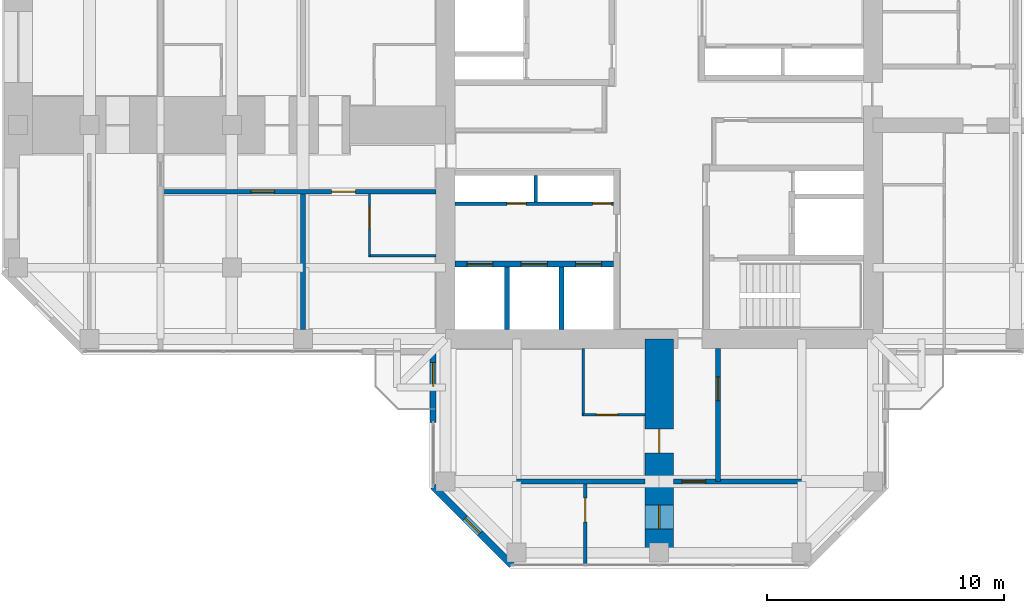
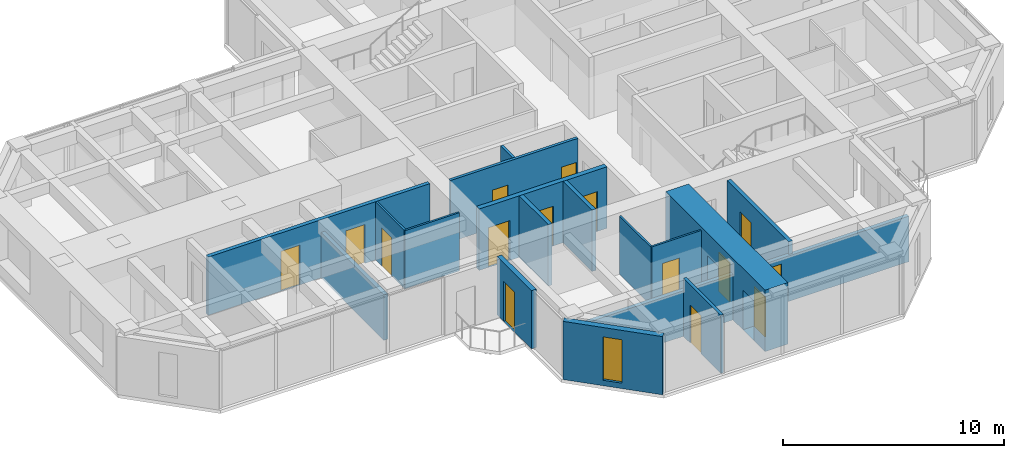
# One storey, part 8 of 13: 18 walls, 15 doors, 1 window, 16 openings.
"""IFC4 building model written with IfcOpenShell, lengths in metres."""

import ifcopenshell
import ifcopenshell.guid

model = None  # the IFC model being written
_history = None  # IfcOwnerHistory: only IFC2X3 demands one
_inside = {}  # id of a spatial element -> (the spatial element, [elements in it])
_under = {}  # id of a project, library or spatial element -> (it, [spatial elements below it])
_declared = {}  # id of a project -> (the project, [libraries it declares])
_typed = {}  # id of a type object -> (the type object, [elements of that type])
_made_of = {}  # id of a material, layer set ... -> (it, [elements and type objects made of it])


def new_model(schema):
    """Start an empty IFC model of exactly this schema.

    Asked for "IFC4X3", IfcOpenShell would pick the latest addendum, in which some entities
    have other attributes; the version numbers below select the first issue.
    IFC2X3 requires an IfcOwnerHistory on every rooted entity: one is made here for all.
    """
    global model, _history
    if schema == "IFC4X3":
        model = ifcopenshell.file(schema_version=(4, 3, 0, 0))
    else:
        model = ifcopenshell.file(schema=schema)
    _inside.clear()
    _under.clear()
    _declared.clear()
    _typed.clear()
    _made_of.clear()
    _history = None
    if model.schema == "IFC2X3":
        org = make("IfcOrganization", Name="unknown")
        user = make(
            "IfcPersonAndOrganization",
            ThePerson=make("IfcPerson", FamilyName="unknown"),
            TheOrganization=org,
        )
        app = make(
            "IfcApplication",
            ApplicationDeveloper=org,
            Version="unknown",
            ApplicationFullName="unknown",
            ApplicationIdentifier="unknown",
        )
        _history = make(
            "IfcOwnerHistory",
            OwningUser=user,
            OwningApplication=app,
            ChangeAction="ADDED",
            CreationDate=0,
        )
    return model


def make(cls, **values):
    """One entity of the class cls with the attributes given. An attribute that is None is left unset."""
    return model.create_entity(
        cls, **{name: value for name, value in values.items() if value is not None}
    )


def rooted(cls, **values):
    """An entity with a GlobalId (a new one), such as an element, a storey or a relation."""
    return make(cls, GlobalId=ifcopenshell.guid.new(), OwnerHistory=_history, **values)


def si_unit(unit_type, name, prefix=None):
    """IfcSIUnit, for example si_unit("LENGTHUNIT", "METRE", prefix="MILLI")."""
    return make("IfcSIUnit", UnitType=unit_type, Prefix=prefix, Name=name)


def assignment(units):
    """IfcUnitAssignment: the units of a project."""
    return None if units is None else make("IfcUnitAssignment", Units=units)


def point(xyz):
    """IfcCartesianPoint."""
    return None if xyz is None else make("IfcCartesianPoint", Coordinates=xyz)


def direction(xyz):
    """IfcDirection."""
    return None if xyz is None else make("IfcDirection", DirectionRatios=xyz)


def frame(location, z_axis=None, x_axis=None):
    """IfcAxis2Placement3D, a coordinate frame: its origin and axes. An axis left out is left unset."""
    return make(
        "IfcAxis2Placement3D",
        Location=point(location),
        Axis=direction(z_axis),
        RefDirection=direction(x_axis),
    )


def frame_2d(location, x_axis=None):
    """IfcAxis2Placement2D, a coordinate frame in the plane: its origin and x axis."""
    return make(
        "IfcAxis2Placement2D", Location=point(location), RefDirection=direction(x_axis)
    )


def origin():
    """The frame at (0, 0, 0) with its axes left unset."""
    return frame((0.0, 0.0, 0.0))


def place(relative_to, where):
    """IfcLocalPlacement: puts the frame where relative to a parent placement (None: the world)."""
    return make(
        "IfcLocalPlacement", PlacementRelTo=relative_to, RelativePlacement=where
    )


def context(
    kind, dimensions, precision=None, world=None, true_north=None, identifier=None
):
    """IfcGeometricRepresentationContext, for example the 3D "Model" context."""
    return make(
        "IfcGeometricRepresentationContext",
        ContextIdentifier=identifier,
        ContextType=kind,
        CoordinateSpaceDimension=dimensions,
        Precision=precision,
        WorldCoordinateSystem=world,
        TrueNorth=true_north,
    )


def subcontext(parent, identifier, kind, view, scale=None):
    """IfcGeometricRepresentationSubContext, for example "Body" below "Model"."""
    return make(
        "IfcGeometricRepresentationSubContext",
        ContextIdentifier=identifier,
        ContextType=kind,
        ParentContext=parent,
        TargetScale=scale,
        TargetView=view,
    )


def project(units=None, contexts=None):
    """IfcProject with its units and contexts."""
    return rooted(
        "IfcProject",
        Name="project",
        RepresentationContexts=contexts,
        UnitsInContext=assignment(units),
    )


def spatial(cls, under=None, at=None, **own):
    """A site, building, storey or space (cls), placed at a placement, below another one or the project."""
    s = rooted(cls, ObjectPlacement=at, **own)
    if under is not None:
        _under.setdefault(under.id(), (under, []))[1].append(s)
    return s


def profile(cls, at=None, kind="AREA", **sizes):
    """A parametric profile (cls). Its sizes go by their IFC names, for example OverallWidth=200.0."""
    return make(cls, ProfileType=kind, Position=at, **sizes)


def rectangle(**sizes):
    """IfcRectangleProfileDef."""
    return profile("IfcRectangleProfileDef", **sizes)


def hollow_rectangle(**sizes):
    """IfcRectangleHollowProfileDef."""
    return profile("IfcRectangleHollowProfileDef", **sizes)


def extrude(swept, where, along, depth):
    """IfcExtrudedAreaSolid: the profile swept, set in the frame where, extruded along a direction by depth."""
    return make(
        "IfcExtrudedAreaSolid",
        SweptArea=swept,
        Position=where,
        ExtrudedDirection=direction(along),
        Depth=depth,
    )


def shape(context_of_items, identifier, shape_type, items):
    """IfcShapeRepresentation: the items that make up one representation, for example the "Body"."""
    return make(
        "IfcShapeRepresentation",
        ContextOfItems=context_of_items,
        RepresentationIdentifier=identifier,
        RepresentationType=shape_type,
        Items=items,
    )


def material(Name=None, Category=None):
    """IfcMaterial."""
    return make("IfcMaterial", Name=Name, Category=Category)


def layer(
    of_material, thickness, ventilated=None, Name=None, Category=None, Priority=None
):
    """IfcMaterialLayer: one layer of a wall or slab, of a material (None: an air gap)."""
    return make(
        "IfcMaterialLayer",
        Material=of_material,
        LayerThickness=thickness,
        IsVentilated=ventilated,
        Name=Name,
        Category=Category,
        Priority=Priority,
    )


def layer_set(layers, Name=None):
    """IfcMaterialLayerSet."""
    return make("IfcMaterialLayerSet", MaterialLayers=layers, LayerSetName=Name)


def constituent(of_material, Name=None, Category=None, fraction=None):
    """IfcMaterialConstituent: one of the materials an element consists of."""
    return make(
        "IfcMaterialConstituent",
        Name=Name,
        Material=of_material,
        Fraction=fraction,
        Category=Category,
    )


def constituent_set(constituents=None, Name=None):
    """IfcMaterialConstituentSet."""
    return make(
        "IfcMaterialConstituentSet", Name=Name, MaterialConstituents=constituents
    )


def made_of(thing, what):
    """Note that an element or type object is made of a material, layer set ...; save() writes the relation."""
    if what is not None:
        _made_of.setdefault(what.id(), (what, []))[1].append(thing)
    return thing


def type_object(cls, material=None, **own):
    """A type object (cls), such as IfcWallType, which elements share."""
    return made_of(rooted(cls, **own), material)


def element(
    cls,
    number,
    at=None,
    inside=None,
    cuts=None,
    type_object=None,
    material=None,
    context=None,
    identifier="Body",
    shape_type=None,
    held_by="IfcProductDefinitionShape",
    body=None,
    shapes=None,
    **own,
):
    """One element of the class cls, such as IfcWall. Its Tag is "e" and its number.

    at: its placement. inside: the storey or other place that contains it. cuts: it is an
    opening in that element (IfcRelVoidsElement). A single representation is given by context,
    identifier, shape_type and body (its items); several are given by shapes. held_by: the class
    of the entity that holds the representations. save() writes the other relations.
    """
    e = rooted(cls, Tag="e%d" % number, ObjectPlacement=at, **own)
    if body is not None:
        shapes = [shape(context, identifier, shape_type, body)]
    if shapes is not None:
        e.Representation = make(held_by, Representations=shapes)
    if inside is not None:
        _inside.setdefault(inside.id(), (inside, []))[1].append(e)
    if cuts is not None:
        rooted(
            "IfcRelVoidsElement", RelatingBuildingElement=cuts, RelatedOpeningElement=e
        )
    if type_object is not None:
        _typed.setdefault(type_object.id(), (type_object, []))[1].append(e)
    return made_of(e, material)


def fill(opening, filler):
    """IfcRelFillsElement: the door or window that sits in an opening."""
    return rooted(
        "IfcRelFillsElement",
        RelatingOpeningElement=opening,
        RelatedBuildingElement=filler,
    )


def aggregate(whole, parts):
    """IfcRelAggregates: a whole, such as a stair, and the parts it consists of."""
    return rooted("IfcRelAggregates", RelatingObject=whole, RelatedObjects=parts)


def save(model, path):
    """Write the relations noted so far, then the file.

    IfcRelAggregates (storeys below a building ...), IfcRelContainedInSpatialStructure (elements
    in a storey), IfcRelDefinesByType, IfcRelAssociatesMaterial and IfcRelDeclares: one each for
    every whole, place, type object, material and project.
    """
    for whole, parts in _under.values():
        aggregate(whole, parts)
    for where, things in _inside.values():
        rooted(
            "IfcRelContainedInSpatialStructure",
            RelatedElements=things,
            RelatingStructure=where,
        )
    for kind, things in _typed.values():
        rooted("IfcRelDefinesByType", RelatedObjects=things, RelatingType=kind)
    for what, things in _made_of.values():
        rooted("IfcRelAssociatesMaterial", RelatedObjects=things, RelatingMaterial=what)
    for by, libraries in _declared.values():
        rooted("IfcRelDeclares", RelatingContext=by, RelatedDefinitions=libraries)
    model.write(path)


model = new_model("IFC4")

# Units and contexts
model_context = context("Model", 3, precision=1e-05, world=origin(), true_north=direction((0.0, 1.0)))
body_context = subcontext(model_context, "Body", "Model", "MODEL_VIEW")
ifc_project = project(units=[si_unit("LENGTHUNIT", "METRE"), si_unit("AREAUNIT", "SQUARE_METRE"), si_unit("VOLUMEUNIT", "CUBIC_METRE"), si_unit("PLANEANGLEUNIT", "RADIAN"), si_unit("MASSUNIT", "GRAM", prefix="KILO")], contexts=[model_context])

# Site, building, storey
site_placement = place(None, origin())
site = spatial("IfcSite", under=ifc_project, at=site_placement, CompositionType="ELEMENT")
building_placement = place(site_placement, origin())
building = spatial("IfcBuilding", under=site, at=building_placement, Name="Torre Cruceta", CompositionType="ELEMENT")
storey_placement = place(building_placement, frame((0.0, 0.0, 242.5)))
storey = spatial("IfcBuildingStorey", under=building, at=storey_placement, Name="L62", CompositionType="ELEMENT", Elevation=242.5)

# Wall
ifc_material_1 = material(Name="Water-resistant plasterboard on steel studs", Category="steel")
ifc_layer_1 = layer(ifc_material_1, 0.10009765625)
ifc_layer_set_1 = layer_set([ifc_layer_1], Name="Water-resistant plasterboard on steel studs")
wall_type_1 = type_object("IfcWallType", Name="BATHROOM WALL 100", PredefinedType="PARTITIONING", material=ifc_layer_set_1)
wall_1_placement = place(storey_placement, frame((-3.199951171875, -9.39990234375, 0.0), z_axis=(0.0, 0.0, 1.0), x_axis=(0.0, -1.0, 0.0)))
element("IfcWall", 1, at=wall_1_placement, inside=storey, type_object=wall_type_1, Name="PT4 L62-S-U1RBB", PredefinedType="PARTITIONING", context=body_context, shape_type="SweptSolid", body=[
    extrude(rectangle(XDim=2.85009765625, YDim=0.10009765625, at=frame_2d((1.425048828125, 0.0))), origin(), (0.0, 0.0, 1.0), 3.219970703125),
])

# Wall, opening, door
wall_2_placement = place(storey_placement, frame((-3.199951171875, -12.199951171875, 0.0), z_axis=(0.0, 0.0, 1.0), x_axis=(1.0, 0.0, 0.0)))
wall_2 = element("IfcWall", 2, at=wall_2_placement, inside=storey, type_object=wall_type_1, Name="PT4 L62-S-U1RBS", PredefinedType="PARTITIONING", context=body_context, shape_type="SweptSolid", body=[
    extrude(rectangle(XDim=2.599853515625, YDim=0.10009765625, at=frame_2d((1.2998046875, 0.0))), origin(), (0.0, 0.0, 1.0), 3.219970703125),
])
opening_1_placement = place(wall_2_placement, frame((0.550048828125, 0.0, 0.0)))
opening_1 = element("IfcOpeningElement", 3, at=opening_1_placement, cuts=wall_2, Name="Opening D7", PredefinedType="OPENING", context=body_context, shape_type="SweptSolid", body=[
    extrude(rectangle(XDim=0.89990234375, YDim=2.10009765625, at=frame_2d((0.449951171875, 1.050048828125))), frame((0.0, 0.06005859375, 0.0), z_axis=(0.0, -1.0, 0.0), x_axis=(1.0, 0.0, 0.0)), (0.0, 0.0, 1.0), 0.1201171875),
])
ifc_material_2 = material(Name="Timber door", Category="wood")
door_type_1 = type_object("IfcDoorType", Name="BATHROOM DOOR 900X2100", OperationType="SINGLE_SWING_LEFT", PredefinedType="DOOR", material=ifc_material_2)
door_1_placement = place(opening_1_placement, origin())
door_1 = element("IfcDoor", 4, at=door_1_placement, inside=storey, type_object=door_type_1, Name="D7 L62-S-U1RBS-D1", OperationType="SINGLE_SWING_LEFT", OverallHeight=2.10009765625, OverallWidth=0.89990234375, PredefinedType="DOOR", context=body_context, shape_type="SweptSolid", body=[
    extrude(rectangle(XDim=0.89990234375, YDim=2.10009765625, at=frame_2d((0.449951171875, 1.050048828125))), frame((0.0, 0.02490234375, 0.0), z_axis=(0.0, -1.0, 0.0), x_axis=(1.0, 0.0, 0.0)), (0.0, 0.0, 1.0), 0.050048828125),
])
fill(opening_1, door_1)

# Wall
wall_3_placement = place(storey_placement, frame((-9.39990234375, -5.5, 0.0), z_axis=(0.0, 0.0, 1.0), x_axis=(-1.0, 0.0, 0.0)))
element("IfcWall", 5, at=wall_3_placement, inside=storey, type_object=wall_type_1, Name="PT4 L62-W-U1LBB", PredefinedType="PARTITIONING", context=body_context, shape_type="SweptSolid", body=[
    extrude(rectangle(XDim=2.85009765625, YDim=0.10009765625, at=frame_2d((1.425048828125, 0.0))), origin(), (0.0, 0.0, 1.0), 3.219970703125),
])

# Wall, opening, door
wall_4_placement = place(storey_placement, frame((-12.199951171875, -2.89990234375, 0.0), z_axis=(0.0, 0.0, 1.0), x_axis=(0.0, -1.0, 0.0)))
wall_4 = element("IfcWall", 6, at=wall_4_placement, inside=storey, type_object=wall_type_1, Name="PT4 L62-W-U1LBS", PredefinedType="PARTITIONING", context=body_context, shape_type="SweptSolid", body=[
    extrude(rectangle(XDim=2.60009765625, YDim=0.10009765625, at=frame_2d((1.300048828125, 0.0))), origin(), (0.0, 0.0, 1.0), 3.219970703125),
])
opening_2_placement = place(wall_4_placement, frame((0.550048828125, 0.0, 0.0)))
opening_2 = element("IfcOpeningElement", 7, at=opening_2_placement, cuts=wall_4, Name="Opening D7", PredefinedType="OPENING", context=body_context, shape_type="SweptSolid", body=[
    extrude(rectangle(XDim=0.89990234375, YDim=2.10009765625, at=frame_2d((0.449951171875, 1.050048828125))), frame((0.0, 0.06005859375, 0.0), z_axis=(0.0, -1.0, 0.0), x_axis=(1.0, 0.0, 0.0)), (0.0, 0.0, 1.0), 0.1201171875),
])
door_2_placement = place(opening_2_placement, origin())
door_2 = element("IfcDoor", 8, at=door_2_placement, inside=storey, type_object=door_type_1, Name="D7 L62-W-U1LBS-D1", OperationType="SINGLE_SWING_LEFT", OverallHeight=2.10009765625, OverallWidth=0.89990234375, PredefinedType="DOOR", context=body_context, shape_type="SweptSolid", body=[
    extrude(rectangle(XDim=0.89990234375, YDim=2.10009765625, at=frame_2d((0.449951171875, 1.050048828125))), frame((0.0, 0.02490234375, 0.0), z_axis=(0.0, -1.0, 0.0), x_axis=(1.0, 0.0, 0.0)), (0.0, 0.0, 1.0), 0.050048828125),
])
fill(opening_2, door_2)

# Wall, openings, doors
ifc_material_3 = material(Name="Concrete G60 (fck 60 MPa)", Category="concrete")
ifc_layer_2 = layer(ifc_material_3, 0.25)
ifc_layer_set_2 = layer_set([ifc_layer_2], Name="Concrete G60 (fck 60 MPa)")
wall_type_2 = type_object("IfcWallType", Name="CORE INNER WALL 250 G60", PredefinedType="SHEAR", material=ifc_layer_set_2)
wall_5_placement = place(storey_placement, frame((-1.925048828125, -5.85009765625, 0.0), z_axis=(0.0, 0.0, 1.0), x_axis=(-1.0, 0.0, 0.0)))
wall_5 = element("IfcWall", 9, at=wall_5_placement, inside=storey, type_object=wall_type_2, Name="CW4 L62 SW-LV", PredefinedType="SHEAR", context=body_context, shape_type="SweptSolid", body=[
    extrude(rectangle(XDim=6.675048828125, YDim=0.25, at=frame_2d((3.33740234375, 0.0))), origin(), (0.0, 0.0, 1.0), 3.39990234375),
])
opening_3_placement = place(wall_5_placement, frame((0.495849609375, 0.0, 0.0)))
opening_3 = element("IfcOpeningElement", 10, at=opening_3_placement, cuts=wall_5, Name="Opening LD1", PredefinedType="OPENING", context=body_context, shape_type="SweptSolid", body=[
    extrude(rectangle(XDim=1.10009765625, YDim=2.199951171875, at=frame_2d((0.550048828125, 1.10009765625))), frame((0.0, 0.135009765625, 0.0), z_axis=(0.0, -1.0, 0.0), x_axis=(1.0, 0.0, 0.0)), (0.0, 0.0, 1.0), 0.27001953125),
])
opening_4_placement = place(wall_5_placement, frame((2.78759765625, 0.0, 0.0)))
opening_4 = element("IfcOpeningElement", 11, at=opening_4_placement, cuts=wall_5, Name="Opening LD1", PredefinedType="OPENING", context=body_context, shape_type="SweptSolid", body=[
    extrude(rectangle(XDim=1.10009765625, YDim=2.199951171875, at=frame_2d((0.550048828125, 1.10009765625))), frame((0.0, 0.135009765625, 0.0), z_axis=(0.0, -1.0, 0.0), x_axis=(1.0, 0.0, 0.0)), (0.0, 0.0, 1.0), 0.27001953125),
])
opening_5_placement = place(wall_5_placement, frame((5.0791015625, 0.0, 0.0)))
opening_5 = element("IfcOpeningElement", 12, at=opening_5_placement, cuts=wall_5, Name="Opening LD1", PredefinedType="OPENING", context=body_context, shape_type="SweptSolid", body=[
    extrude(rectangle(XDim=1.10009765625, YDim=2.199951171875, at=frame_2d((0.550048828125, 1.10009765625))), frame((0.0, 0.135009765625, 0.0), z_axis=(0.0, -1.0, 0.0), x_axis=(1.0, 0.0, 0.0)), (0.0, 0.0, 1.0), 0.27001953125),
])
ifc_material_4 = material(Name="Stainless steel 1.4401", Category="steel")
door_type_2 = type_object("IfcDoorType", Name="LIFT LANDING DOOR 1100X2200", OperationType="DOUBLE_DOOR_SLIDING", PredefinedType="DOOR", material=ifc_material_4)
door_3_placement = place(opening_3_placement, origin())
door_3 = element("IfcDoor", 13, at=door_3_placement, inside=storey, type_object=door_type_2, Name="Lift landing door R1", OperationType="DOUBLE_DOOR_SLIDING", OverallHeight=2.199951171875, OverallWidth=1.10009765625, PredefinedType="DOOR", context=body_context, shape_type="SweptSolid", body=[
    extrude(rectangle(XDim=1.10009765625, YDim=2.199951171875, at=frame_2d((0.550048828125, 1.10009765625))), frame((0.0, 0.02490234375, 0.0), z_axis=(0.0, -1.0, 0.0), x_axis=(1.0, 0.0, 0.0)), (0.0, 0.0, 1.0), 0.050048828125),
])
fill(opening_3, door_3)
door_4_placement = place(opening_4_placement, origin())
door_4 = element("IfcDoor", 14, at=door_4_placement, inside=storey, type_object=door_type_2, Name="Lift landing door R2", OperationType="DOUBLE_DOOR_SLIDING", OverallHeight=2.199951171875, OverallWidth=1.10009765625, PredefinedType="DOOR", context=body_context, shape_type="SweptSolid", body=[
    extrude(rectangle(XDim=1.10009765625, YDim=2.199951171875, at=frame_2d((0.550048828125, 1.10009765625))), frame((0.0, 0.02490234375, 0.0), z_axis=(0.0, -1.0, 0.0), x_axis=(1.0, 0.0, 0.0)), (0.0, 0.0, 1.0), 0.050048828125),
])
fill(opening_4, door_4)
door_5_placement = place(opening_5_placement, origin())
door_5 = element("IfcDoor", 15, at=door_5_placement, inside=storey, type_object=door_type_2, Name="Lift landing door R3", OperationType="DOUBLE_DOOR_SLIDING", OverallHeight=2.199951171875, OverallWidth=1.10009765625, PredefinedType="DOOR", context=body_context, shape_type="SweptSolid", body=[
    extrude(rectangle(XDim=1.10009765625, YDim=2.199951171875, at=frame_2d((0.550048828125, 1.10009765625))), frame((0.0, 0.02490234375, 0.0), z_axis=(0.0, -1.0, 0.0), x_axis=(1.0, 0.0, 0.0)), (0.0, 0.0, 1.0), 0.050048828125),
])
fill(opening_5, door_5)

# Wall, opening, door
ifc_material_5 = material(Name="Concrete G25 (fck 25 MPa)", Category="concrete")
ifc_layer_3 = layer(ifc_material_5, 0.199951171875)
ifc_layer_set_3 = layer_set([ifc_layer_3], Name="Concrete G25 (fck 25 MPa)")
wall_type_3 = type_object("IfcWallType", Name="CORRIDOR WALL 200", PredefinedType="SOLIDWALL", material=ifc_layer_set_3)
wall_6_placement = place(storey_placement, frame((2.47509765625, -9.39990234375, 0.0), z_axis=(0.0, 0.0, 1.0), x_axis=(0.0, -1.0, 0.0)))
wall_6 = element("IfcWall", 16, at=wall_6_placement, inside=storey, type_object=wall_type_3, Name="PT3 L62-S-CL", PredefinedType="SOLIDWALL", context=body_context, shape_type="SweptSolid", body=[
    extrude(rectangle(XDim=5.60009765625, YDim=0.199951171875, at=frame_2d((2.800048828125, 0.0))), origin(), (0.0, 0.0, 1.0), 3.219970703125),
])
opening_6_placement = place(wall_6_placement, frame((1.199951171875, 0.0, 0.0)))
opening_6 = element("IfcOpeningElement", 17, at=opening_6_placement, cuts=wall_6, Name="Opening D14", PredefinedType="OPENING", context=body_context, shape_type="SweptSolid", body=[
    extrude(rectangle(XDim=1.0, YDim=2.199951171875, at=frame_2d((0.5, 1.10009765625))), frame((0.0, 0.10986328125, 0.0), z_axis=(0.0, -1.0, 0.0), x_axis=(1.0, 0.0, 0.0)), (0.0, 0.0, 1.0), 0.219970703125),
])
ifc_material_6 = material(Name="Steel DX51D", Category="steel")
ifc_constituent_1 = constituent(ifc_material_6, Name="Leaf and frame")
ifc_material_7 = material(Name="Polyester powder coating", Category="paint")
ifc_constituent_2 = constituent(ifc_material_7, Name="Finish")
ifc_material_8 = material(Name="Fire-resisting glass", Category="glass")
ifc_constituent_3 = constituent(ifc_material_8, Name="Vision panel")
ifc_constituent_set_1 = constituent_set(constituents=[ifc_constituent_1, ifc_constituent_2, ifc_constituent_3], Name="Steel fire door with vision panel")
door_type_3 = type_object("IfcDoorType", Name="FIRE DOOR VISION PANEL 1000X2200", OperationType="SINGLE_SWING_RIGHT", PredefinedType="DOOR", material=ifc_constituent_set_1)
door_6_placement = place(opening_6_placement, origin())
door_6 = element("IfcDoor", 18, at=door_6_placement, inside=storey, type_object=door_type_3, Name="D14 L62-S-CL-D1", OperationType="SINGLE_SWING_LEFT", OverallHeight=2.199951171875, OverallWidth=1.0, PredefinedType="DOOR", context=body_context, shape_type="SweptSolid", body=[
    extrude(rectangle(XDim=1.0, YDim=2.199951171875, at=frame_2d((0.5, 1.10009765625))), frame((0.0, 0.02490234375, 0.0), z_axis=(0.0, -1.0, 0.0), x_axis=(1.0, 0.0, 0.0)), (0.0, 0.0, 1.0), 0.050048828125),
])
fill(opening_6, door_6)

# Wall, openings, doors
wall_7_placement = place(storey_placement, frame((-9.39990234375, -2.800048828125, 0.0), z_axis=(0.0, 0.0, 1.0), x_axis=(-1.0, 0.0, 0.0)))
wall_7 = element("IfcWall", 19, at=wall_7_placement, inside=storey, type_object=wall_type_3, Name="PT3 L62-W-CL", PredefinedType="SOLIDWALL", context=body_context, shape_type="SweptSolid", body=[
    extrude(rectangle(XDim=11.60009765625, YDim=0.199951171875, at=frame_2d((5.800048828125, 0.0))), origin(), (0.0, 0.0, 1.0), 3.219970703125),
])
opening_7_placement = place(wall_7_placement, frame((3.39990234375, 0.0, 0.0)))
opening_7 = element("IfcOpeningElement", 20, at=opening_7_placement, cuts=wall_7, Name="Opening D6", PredefinedType="OPENING", context=body_context, shape_type="SweptSolid", body=[
    extrude(rectangle(XDim=1.0, YDim=2.14990234375, at=frame_2d((0.5, 1.074951171875))), frame((0.0, 0.10986328125, 0.0), z_axis=(0.0, -1.0, 0.0), x_axis=(1.0, 0.0, 0.0)), (0.0, 0.0, 1.0), 0.219970703125),
])
opening_8_placement = place(wall_7_placement, frame((6.800048828125, 0.0, 0.0)))
opening_8 = element("IfcOpeningElement", 21, at=opening_8_placement, cuts=wall_7, Name="Opening D14", PredefinedType="OPENING", context=body_context, shape_type="SweptSolid", body=[
    extrude(rectangle(XDim=1.0, YDim=2.199951171875, at=frame_2d((0.5, 1.10009765625))), frame((0.0, 0.10986328125, 0.0), z_axis=(0.0, -1.0, 0.0), x_axis=(1.0, 0.0, 0.0)), (0.0, 0.0, 1.0), 0.219970703125),
])
door_7_placement = place(opening_8_placement, origin())
door_7 = element("IfcDoor", 22, at=door_7_placement, inside=storey, type_object=door_type_3, Name="D14 L62-W-CL-D2", OperationType="SINGLE_SWING_LEFT", OverallHeight=2.199951171875, OverallWidth=1.0, PredefinedType="DOOR", context=body_context, shape_type="SweptSolid", body=[
    extrude(rectangle(XDim=1.0, YDim=2.199951171875, at=frame_2d((0.5, 1.10009765625))), frame((0.0, 0.02490234375, 0.0), z_axis=(0.0, -1.0, 0.0), x_axis=(1.0, 0.0, 0.0)), (0.0, 0.0, 1.0), 0.050048828125),
])
fill(opening_8, door_7)
ifc_material_9 = material(Name="Timber fire door", Category="wood")
door_type_4 = type_object("IfcDoorType", Name="UNIT ENTRANCE DOOR 1000X2150", OperationType="SINGLE_SWING_LEFT", PredefinedType="DOOR", material=ifc_material_9)
door_8_placement = place(opening_7_placement, origin())
door_8 = element("IfcDoor", 23, at=door_8_placement, inside=storey, type_object=door_type_4, Name="D6 L62-W-CL-D1", OperationType="SINGLE_SWING_LEFT", OverallHeight=2.14990234375, OverallWidth=1.0, PredefinedType="DOOR", context=body_context, shape_type="SweptSolid", body=[
    extrude(rectangle(XDim=1.0, YDim=2.14990234375, at=frame_2d((0.5, 1.074951171875))), frame((0.0, 0.02490234375, 0.0), z_axis=(0.0, -1.0, 0.0), x_axis=(1.0, 0.0, 0.0)), (0.0, 0.0, 1.0), 0.050048828125),
])
fill(opening_7, door_8)

# Wall, opening, window
ifc_material_10 = material(Name="Concrete G30 (fck 30 MPa)", Category="concrete")
ifc_layer_4 = layer(ifc_material_10, 0.300048828125)
ifc_layer_set_4 = layer_set([ifc_layer_4], Name="Concrete G30 (fck 30 MPa)")
wall_type_4 = type_object("IfcWallType", Name="EXPOSED CONCRETE FACADE WALL 300", PredefinedType="SOLIDWALL", material=ifc_layer_set_4)
wall_8_placement = place(storey_placement, frame((-9.52001953125, -15.21533203125, 0.0), z_axis=(0.0, 0.0, 1.0), x_axis=(0.707106781187, -0.707106781187, 0.0)))
wall_8 = element("IfcWall", 24, at=wall_8_placement, inside=storey, type_object=wall_type_4, Name="EW1 facade wall L62 S chamfer 16", PredefinedType="SOLIDWALL", context=body_context, shape_type="SweptSolid", body=[
    extrude(rectangle(XDim=4.673583984375, YDim=0.300048828125, at=frame_2d((2.3369140625, 0.0))), origin(), (0.0, 0.0, 1.0), 3.219970703125),
])
opening_9_placement = place(wall_8_placement, frame((1.88671875, 0.0, 0.300048828125)))
opening_9 = element("IfcOpeningElement", 25, at=opening_9_placement, cuts=wall_8, Name="Opening WN5", PredefinedType="OPENING", context=body_context, shape_type="SweptSolid", body=[
    extrude(rectangle(XDim=0.89990234375, YDim=2.39990234375, at=frame_2d((0.449951171875, 1.199951171875))), frame((0.0, 0.159912109375, 0.0), z_axis=(0.0, -1.0, 0.0), x_axis=(1.0, 0.0, 0.0)), (0.0, 0.0, 1.0), 0.320068359375),
])
ifc_material_11 = material(Name="Aluminium window frame", Category="aluminium")
ifc_constituent_4 = constituent(ifc_material_11, Name="Frame")
ifc_material_12 = material(Name="Laminated insulating glass unit, low-iron clear", Category="glass")
ifc_constituent_5 = constituent(ifc_material_12, Name="Glazing")
ifc_constituent_set_2 = constituent_set(constituents=[ifc_constituent_4, ifc_constituent_5], Name="Aluminium window")
window_type = type_object("IfcWindowType", Name="CHAMFER SLOT WINDOW 900X2400", PartitioningType="SINGLE_PANEL", PredefinedType="WINDOW", material=ifc_constituent_set_2)
window_placement = place(opening_9_placement, origin())
window = element("IfcWindow", 26, at=window_placement, inside=storey, type_object=window_type, Name="WN5 L62 S 1", OverallHeight=2.39990234375, OverallWidth=0.89990234375, PartitioningType="SINGLE_PANEL", PredefinedType="WINDOW", context=body_context, shape_type="SweptSolid", body=[
    extrude(hollow_rectangle(XDim=0.89990234375, YDim=2.39990234375, WallThickness=0.06005859375, at=frame_2d((0.449951171875, 1.199951171875))), frame((0.0, 0.030029296875, 0.0), z_axis=(0.0, -1.0, 0.0), x_axis=(1.0, 0.0, 0.0)), (0.0, 0.0, 1.0), 0.06005859375),
    extrude(rectangle(XDim=0.77880859375, YDim=2.27880859375, at=frame_2d((0.449951171875, 1.199951171875))), frame((0.0, 0.030029296875, 0.0), z_axis=(0.0, -1.0, 0.0), x_axis=(1.0, 0.0, 0.0)), (0.0, 0.0, 1.0), 0.06005859375),
])
fill(opening_9, window)

# Walls
ifc_material_13 = material(Name="Concrete G35 (fck 35 MPa)", Category="concrete")
ifc_layer_5 = layer(ifc_material_13, 0.199951171875)
ifc_layer_set_5 = layer_set([ifc_layer_5], Name="Concrete G35 (fck 35 MPa)")
wall_type_5 = type_object("IfcWallType", Name="LIFT SHAFT WALL 200", PredefinedType="PARTITIONING", material=ifc_layer_set_5)
for number, where, z_axis, x_axis, name in (
    (27, (-4.11669921875, -5.97509765625, 0.0), (0.0, 0.0, 1.0), (0.0, -1.0, 0.0), "SW1 L62 SW-LS1"),
    (28, (-6.408447265625, -5.97509765625, 0.0), (0.0, 0.0, 1.0), (0.0, -1.0, 0.0), "SW1 L62 SW-LS2"),
):
    element("IfcWall", number, at=place(storey_placement, frame(where, z_axis=z_axis, x_axis=x_axis)), inside=storey, type_object=wall_type_5, Name=name, PredefinedType="PARTITIONING", context=body_context, shape_type="SweptSolid", body=[
        extrude(rectangle(XDim=2.625, YDim=0.199951171875, at=frame_2d((1.3125, 0.0))), origin(), (0.0, 0.0, 1.0), 3.39990234375),
    ])

# Wall, opening, door
ifc_material_14 = material(Name="Plasterboard on steel studs", Category="steel")
ifc_layer_6 = layer(ifc_material_14, 0.14990234375)
ifc_layer_set_6 = layer_set([ifc_layer_6], Name="Plasterboard on steel studs")
wall_type_6 = type_object("IfcWallType", Name="PARTITION 150", PredefinedType="PARTITIONING", material=ifc_layer_set_6)
wall_9_placement = place(storey_placement, frame((-3.117919921875, -15.10009765625, 0.0), z_axis=(0.0, 0.0, 1.0), x_axis=(0.0, -1.0, 0.0)))
wall_9 = element("IfcWall", 29, at=wall_9_placement, inside=storey, type_object=wall_type_6, Name="PT1 L62-S-END2X", PredefinedType="PARTITIONING", context=body_context, shape_type="SweptSolid", body=[
    extrude(rectangle(XDim=3.3798828125, YDim=0.14990234375, at=frame_2d((1.68994140625, 0.0))), origin(), (0.0, 0.0, 1.0), 3.219970703125),
])
opening_10_placement = place(wall_9_placement, frame((0.60009765625, 0.0, 0.0)))
opening_10 = element("IfcOpeningElement", 30, at=opening_10_placement, cuts=wall_9, Name="Opening D3", PredefinedType="OPENING", context=body_context, shape_type="SweptSolid", body=[
    extrude(rectangle(XDim=1.0, YDim=2.10009765625, at=frame_2d((0.5, 1.050048828125))), frame((0.0, 0.0849609375, 0.0), z_axis=(0.0, -1.0, 0.0), x_axis=(1.0, 0.0, 0.0)), (0.0, 0.0, 1.0), 0.169921875),
])
ifc_material_15 = material(Name="Steel DX51D", Category="steel")
ifc_constituent_6 = constituent(ifc_material_15, Name="Leaf and frame")
ifc_material_16 = material(Name="Polyester powder coating", Category="paint")
ifc_constituent_7 = constituent(ifc_material_16, Name="Finish")
ifc_constituent_set_3 = constituent_set(constituents=[ifc_constituent_6, ifc_constituent_7], Name="Steel fire door")
door_type_5 = type_object("IfcDoorType", Name="FIRE DOOR 1000X2100", OperationType="SINGLE_SWING_LEFT", PredefinedType="DOOR", material=ifc_constituent_set_3)
door_9_placement = place(opening_10_placement, origin())
door_9 = element("IfcDoor", 31, at=door_9_placement, inside=storey, type_object=door_type_5, Name="D3 L62-S-END2X-D1", OperationType="SINGLE_SWING_LEFT", OverallHeight=2.10009765625, OverallWidth=1.0, PredefinedType="DOOR", context=body_context, shape_type="SweptSolid", body=[
    extrude(rectangle(XDim=1.0, YDim=2.10009765625, at=frame_2d((0.5, 1.050048828125))), frame((0.0, 0.02490234375, 0.0), z_axis=(0.0, -1.0, 0.0), x_axis=(1.0, 0.0, 0.0)), (0.0, 0.0, 1.0), 0.050048828125),
])
fill(opening_10, door_9)

# Wall, openings, doors
ifc_material_17 = material(Name="Concrete block masonry", Category="masonry")
ifc_layer_7 = layer(ifc_material_17, 0.14990234375)
ifc_layer_set_7 = layer_set([ifc_layer_7], Name="Concrete block masonry")
wall_type_7 = type_object("IfcWallType", Name="RISER WALL 150", PredefinedType="PARTITIONING", material=ifc_layer_set_7)
wall_10_placement = place(storey_placement, frame((-1.925048828125, -3.300048828125, 0.0), z_axis=(0.0, 0.0, 1.0), x_axis=(-1.0, 0.0, 0.0)))
wall_10 = element("IfcWall", 32, at=wall_10_placement, inside=storey, type_object=wall_type_7, Name="SW7 L62 SW-RV", PredefinedType="PARTITIONING", context=body_context, shape_type="SweptSolid", body=[
    extrude(rectangle(XDim=6.675048828125, YDim=0.14990234375, at=frame_2d((3.33740234375, 0.0))), origin(), (0.0, 0.0, 1.0), 3.39990234375),
])
opening_11_placement = place(wall_10_placement, frame((0.074951171875, 0.0, 0.0)))
opening_11 = element("IfcOpeningElement", 33, at=opening_11_placement, cuts=wall_10, Name="Opening D5", PredefinedType="OPENING", context=body_context, shape_type="SweptSolid", body=[
    extrude(rectangle(XDim=0.800048828125, YDim=2.10009765625, at=frame_2d((0.39990234375, 1.050048828125))), frame((0.0, 0.0849609375, 0.0), z_axis=(0.0, -1.0, 0.0), x_axis=(1.0, 0.0, 0.0)), (0.0, 0.0, 1.0), 0.169921875),
])
opening_12_placement = place(wall_10_placement, frame((3.675048828125, 0.0, 0.0)))
opening_12 = element("IfcOpeningElement", 34, at=opening_12_placement, cuts=wall_10, Name="Opening D5", PredefinedType="OPENING", context=body_context, shape_type="SweptSolid", body=[
    extrude(rectangle(XDim=0.800048828125, YDim=2.10009765625, at=frame_2d((0.39990234375, 1.050048828125))), frame((0.0, 0.0849609375, 0.0), z_axis=(0.0, -1.0, 0.0), x_axis=(1.0, 0.0, 0.0)), (0.0, 0.0, 1.0), 0.169921875),
])
ifc_material_18 = material(Name="Steel DX51D", Category="steel")
ifc_constituent_8 = constituent(ifc_material_18, Name="Leaf and frame")
ifc_material_19 = material(Name="Polyester powder coating", Category="paint")
ifc_constituent_9 = constituent(ifc_material_19, Name="Finish")
ifc_constituent_set_4 = constituent_set(constituents=[ifc_constituent_8, ifc_constituent_9], Name="Steel fire door")
door_type_6 = type_object("IfcDoorType", Name="RISER ACCESS DOOR 800X2100", OperationType="SINGLE_SWING_LEFT", PredefinedType="DOOR", material=ifc_constituent_set_4)
door_10_placement = place(opening_11_placement, frame((0.800048828125, 0.0, 0.0), z_axis=(0.0, 0.0, 1.0), x_axis=(-1.0, 0.0, 0.0)))
door_10 = element("IfcDoor", 35, at=door_10_placement, inside=storey, type_object=door_type_6, Name="D5 L62 SW-RISER1", OperationType="SINGLE_SWING_RIGHT", OverallHeight=2.10009765625, OverallWidth=0.800048828125, PredefinedType="DOOR", context=body_context, shape_type="SweptSolid", body=[
    extrude(rectangle(XDim=0.800048828125, YDim=2.10009765625, at=frame_2d((0.400146484375, 1.050048828125))), frame((0.0, 0.025146484375, 0.0), z_axis=(0.0, -1.0, 0.0), x_axis=(1.0, 0.0, 0.0)), (0.0, 0.0, 1.0), 0.050048828125),
])
fill(opening_11, door_10)
door_11_placement = place(opening_12_placement, frame((0.800048828125, 0.0, 0.0), z_axis=(0.0, 0.0, 1.0), x_axis=(-1.0, 0.0, 0.0)))
door_11 = element("IfcDoor", 36, at=door_11_placement, inside=storey, type_object=door_type_6, Name="D5 L62 SW-RISER2", OperationType="SINGLE_SWING_RIGHT", OverallHeight=2.10009765625, OverallWidth=0.800048828125, PredefinedType="DOOR", context=body_context, shape_type="SweptSolid", body=[
    extrude(rectangle(XDim=0.800048828125, YDim=2.10009765625, at=frame_2d((0.400146484375, 1.050048828125))), frame((0.0, 0.025146484375, 0.0), z_axis=(0.0, -1.0, 0.0), x_axis=(1.0, 0.0, 0.0)), (0.0, 0.0, 1.0), 0.050048828125),
])
fill(opening_12, door_11)

# Wall
wall_11_placement = place(storey_placement, frame((-5.199951171875, -2.125, 0.0), z_axis=(0.0, 0.0, 1.0), x_axis=(0.0, -1.0, 0.0)))
element("IfcWall", 37, at=wall_11_placement, inside=storey, type_object=wall_type_7, Name="SW7 L62 SW-RU", PredefinedType="PARTITIONING", context=body_context, shape_type="SweptSolid", body=[
    extrude(rectangle(XDim=1.10009765625, YDim=0.14990234375, at=frame_2d((0.550048828125, 0.0))), origin(), (0.0, 0.0, 1.0), 3.39990234375),
])

# Wall, openings, doors
ifc_material_20 = material(Name="Concrete G60 (fck 60 MPa)", Category="concrete")
ifc_layer_8 = layer(ifc_material_20, 1.199951171875)
ifc_layer_set_8 = layer_set([ifc_layer_8], Name="Concrete G60 (fck 60 MPa)")
wall_type_8 = type_object("IfcWallType", Name="SPINE WALL 1200 G60", PredefinedType="SHEAR", material=ifc_layer_set_8)
wall_12_placement = place(storey_placement, frame((0.0, -9.0, 0.0), z_axis=(0.0, 0.0, 1.0), x_axis=(0.0, -1.0, 0.0)))
wall_12 = element("IfcWall", 38, at=wall_12_placement, inside=storey, type_object=wall_type_8, Name="SW3 spine wall L62 S", PredefinedType="SHEAR", context=body_context, shape_type="SweptSolid", body=[
    extrude(rectangle(XDim=9.0, YDim=1.199951171875, at=frame_2d((4.5, 0.0))), origin(), (0.0, 0.0, 1.0), 3.39990234375),
])
opening_13_placement = place(wall_12_placement, frame((3.800048828125, 0.0, 0.0)))
opening_13 = element("IfcOpeningElement", 39, at=opening_13_placement, cuts=wall_12, Name="Opening D6", PredefinedType="OPENING", context=body_context, shape_type="SweptSolid", body=[
    extrude(rectangle(XDim=1.0, YDim=2.14990234375, at=frame_2d((0.5, 1.074951171875))), frame((0.0, 0.60986328125, 0.0), z_axis=(0.0, -1.0, 0.0), x_axis=(1.0, 0.0, 0.0)), (0.0, 0.0, 1.0), 1.219970703125),
])
opening_14_placement = place(wall_12_placement, frame((7.0, 0.0, 0.0)))
opening_14 = element("IfcOpeningElement", 40, at=opening_14_placement, cuts=wall_12, Name="Opening D14", PredefinedType="OPENING", context=body_context, shape_type="SweptSolid", body=[
    extrude(rectangle(XDim=1.0, YDim=2.199951171875, at=frame_2d((0.5, 1.10009765625))), frame((0.0, 0.60986328125, 0.0), z_axis=(0.0, -1.0, 0.0), x_axis=(1.0, 0.0, 0.0)), (0.0, 0.0, 1.0), 1.219970703125),
])
door_12_placement = place(opening_14_placement, frame((1.0, 0.0, 0.0), z_axis=(0.0, 0.0, 1.0), x_axis=(-1.0, 0.0, 0.0)))
door_12 = element("IfcDoor", 41, at=door_12_placement, inside=storey, type_object=door_type_3, Name="D14 L62-S-SP2", OperationType="SINGLE_SWING_RIGHT", OverallHeight=2.199951171875, OverallWidth=1.0, PredefinedType="DOOR", context=body_context, shape_type="SweptSolid", body=[
    extrude(rectangle(XDim=1.0, YDim=2.199951171875, at=frame_2d((0.5, 1.10009765625))), frame((0.0, 0.025146484375, 0.0), z_axis=(0.0, -1.0, 0.0), x_axis=(1.0, 0.0, 0.0)), (0.0, 0.0, 1.0), 0.050048828125),
])
fill(opening_14, door_12)
door_13_placement = place(opening_13_placement, frame((1.0, 0.0, 0.0), z_axis=(0.0, 0.0, 1.0), x_axis=(-1.0, 0.0, 0.0)))
door_13 = element("IfcDoor", 42, at=door_13_placement, inside=storey, type_object=door_type_4, Name="D6 L62-S-SP1", OperationType="SINGLE_SWING_RIGHT", OverallHeight=2.14990234375, OverallWidth=1.0, PredefinedType="DOOR", context=body_context, shape_type="SweptSolid", body=[
    extrude(rectangle(XDim=1.0, YDim=2.14990234375, at=frame_2d((0.5, 1.074951171875))), frame((0.0, 0.025146484375, 0.0), z_axis=(0.0, -1.0, 0.0), x_axis=(1.0, 0.0, 0.0)), (0.0, 0.0, 1.0), 0.050048828125),
])
fill(opening_13, door_13)

# Wall
ifc_material_21 = material(Name="Concrete G25 (fck 25 MPa)", Category="concrete")
ifc_layer_9 = layer(ifc_material_21, 0.199951171875)
ifc_layer_set_9 = layer_set([ifc_layer_9], Name="Concrete G25 (fck 25 MPa)")
wall_type_9 = type_object("IfcWallType", Name="UNIT SEPARATING WALL 200", PredefinedType="SOLIDWALL", material=ifc_layer_set_9)
wall_13_placement = place(storey_placement, frame((-8.60009765625, -15.0, 0.0), z_axis=(0.0, 0.0, 1.0), x_axis=(1.0, 0.0, 0.0)))
element("IfcWall", 43, at=wall_13_placement, inside=storey, type_object=wall_type_9, Name="PT2 L62-S-ENDa", PredefinedType="SOLIDWALL", context=body_context, shape_type="SweptSolid", body=[
    extrude(rectangle(XDim=8.0, YDim=0.199951171875, at=frame_2d((4.0, 0.0))), origin(), (0.0, 0.0, 1.0), 2.52001953125),
])

# Wall, opening, door
wall_14_placement = place(storey_placement, frame((0.60009765625, -15.0, 0.0), z_axis=(0.0, 0.0, 1.0), x_axis=(1.0, 0.0, 0.0)))
wall_14 = element("IfcWall", 44, at=wall_14_placement, inside=storey, type_object=wall_type_9, Name="PT2 L62-S-ENDb", PredefinedType="SOLIDWALL", context=body_context, shape_type="SweptSolid", body=[
    extrude(rectangle(XDim=8.0, YDim=0.199951171875, at=frame_2d((4.0, 0.0))), origin(), (0.0, 0.0, 1.0), 2.52001953125),
])
opening_15_placement = place(wall_14_placement, frame((0.35009765625, 0.0, 0.0)))
opening_15 = element("IfcOpeningElement", 45, at=opening_15_placement, cuts=wall_14, Name="Opening D14", PredefinedType="OPENING", context=body_context, shape_type="SweptSolid", body=[
    extrude(rectangle(XDim=1.0, YDim=2.199951171875, at=frame_2d((0.5, 1.10009765625))), frame((0.0, 0.10986328125, 0.0), z_axis=(0.0, -1.0, 0.0), x_axis=(1.0, 0.0, 0.0)), (0.0, 0.0, 1.0), 0.219970703125),
])
door_14_placement = place(opening_15_placement, frame((1.0, 0.0, 0.0), z_axis=(0.0, 0.0, 1.0), x_axis=(-1.0, 0.0, 0.0)))
door_14 = element("IfcDoor", 46, at=door_14_placement, inside=storey, type_object=door_type_3, Name="D14 L62-S-ENDb-D1", OperationType="SINGLE_SWING_RIGHT", OverallHeight=2.199951171875, OverallWidth=1.0, PredefinedType="DOOR", context=body_context, shape_type="SweptSolid", body=[
    extrude(rectangle(XDim=1.0, YDim=2.199951171875, at=frame_2d((0.5, 1.10009765625))), frame((0.0, 0.025146484375, 0.0), z_axis=(0.0, -1.0, 0.0), x_axis=(1.0, 0.0, 0.0)), (0.0, 0.0, 1.0), 0.050048828125),
])
fill(opening_15, door_14)

# Wall
wall_15_placement = place(storey_placement, frame((-15.0, -2.89990234375, 0.0), z_axis=(0.0, 0.0, 1.0), x_axis=(0.0, -1.0, 0.0)))
element("IfcWall", 47, at=wall_15_placement, inside=storey, type_object=wall_type_9, Name="PT2 L62-W-P1L", PredefinedType="SOLIDWALL", context=body_context, shape_type="SweptSolid", body=[
    extrude(rectangle(XDim=5.7001953125, YDim=0.199951171875, at=frame_2d((2.85009765625, 0.0))), origin(), (0.0, 0.0, 1.0), 2.52001953125),
])

# Wall, opening, door
ifc_material_22 = material(Name="Concrete G30 (fck 30 MPa)", Category="concrete")
ifc_layer_10 = layer(ifc_material_22, 0.25)
ifc_layer_set_10 = layer_set([ifc_layer_10], Name="Concrete G30 (fck 30 MPa)")
wall_type_10 = type_object("IfcWallType", Name="WINTER GARDEN WALL 250", PredefinedType="SOLIDWALL", material=ifc_layer_set_10)
wall_16_placement = place(storey_placement, frame((-9.52001953125, -9.39501953125, 0.0), z_axis=(0.0, 0.0, 1.0), x_axis=(0.0, -1.0, 0.0)))
wall_16 = element("IfcWall", 48, at=wall_16_placement, inside=storey, type_object=wall_type_10, Name="EW2 winter garden wall L62 15", PredefinedType="SOLIDWALL", context=body_context, shape_type="SweptSolid", body=[
    extrude(rectangle(XDim=3.125, YDim=0.25, at=frame_2d((1.5625, 0.0))), origin(), (0.0, 0.0, 1.0), 3.219970703125),
])
opening_16_placement = place(wall_16_placement, frame((0.60009765625, 0.0, 0.0)))
opening_16 = element("IfcOpeningElement", 49, at=opening_16_placement, cuts=wall_16, Name="Opening D10", PredefinedType="OPENING", context=body_context, shape_type="SweptSolid", body=[
    extrude(rectangle(XDim=1.0, YDim=2.199951171875, at=frame_2d((0.5, 1.10009765625))), frame((0.0, 0.135009765625, 0.0), z_axis=(0.0, -1.0, 0.0), x_axis=(1.0, 0.0, 0.0)), (0.0, 0.0, 1.0), 0.27001953125),
])
ifc_material_23 = material(Name="Aluminium door frame", Category="aluminium")
ifc_constituent_10 = constituent(ifc_material_23, Name="Frame")
ifc_material_24 = material(Name="Laminated safety glass", Category="glass")
ifc_constituent_11 = constituent(ifc_material_24, Name="Glazing")
ifc_constituent_set_5 = constituent_set(constituents=[ifc_constituent_10, ifc_constituent_11], Name="Aluminium glazed door")
door_type_7 = type_object("IfcDoorType", Name="BALCONY DOOR 1000X2200", OperationType="SINGLE_SWING_RIGHT", PredefinedType="DOOR", material=ifc_constituent_set_5)
door_15_placement = place(opening_16_placement, origin())
door_15 = element("IfcDoor", 50, at=door_15_placement, inside=storey, type_object=door_type_7, Name="D10 balcony door L62 15", OperationType="SINGLE_SWING_LEFT", OverallHeight=2.199951171875, OverallWidth=1.0, PredefinedType="DOOR", context=body_context, shape_type="SweptSolid", body=[
    extrude(hollow_rectangle(XDim=1.0, YDim=2.199951171875, WallThickness=0.06005859375, at=frame_2d((0.5, 1.10009765625))), frame((0.0, 0.02490234375, 0.0), z_axis=(0.0, -1.0, 0.0), x_axis=(1.0, 0.0, 0.0)), (0.0, 0.0, 1.0), 0.050048828125),
    extrude(rectangle(XDim=0.87890625, YDim=2.078857421875, at=frame_2d((0.5, 1.10009765625))), frame((0.0, 0.02490234375, 0.0), z_axis=(0.0, -1.0, 0.0), x_axis=(1.0, 0.0, 0.0)), (0.0, 0.0, 1.0), 0.050048828125),
])
fill(opening_16, door_15)

save(model, "model.ifc")
